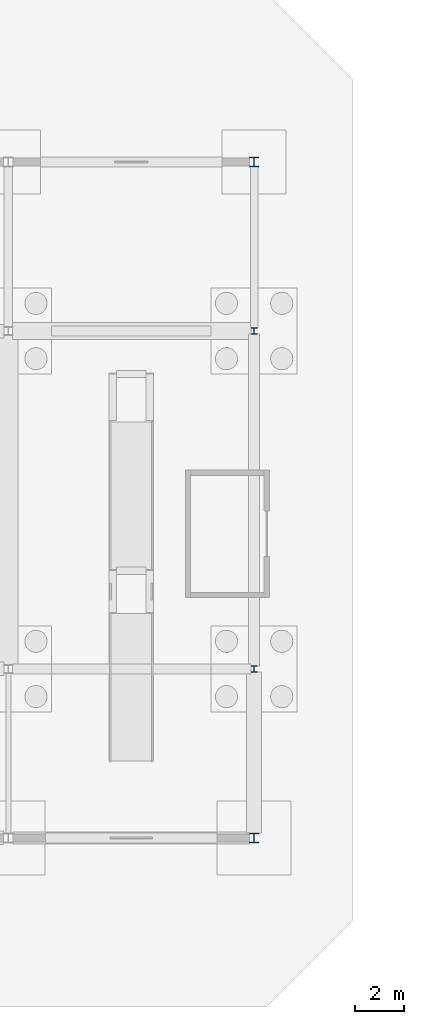
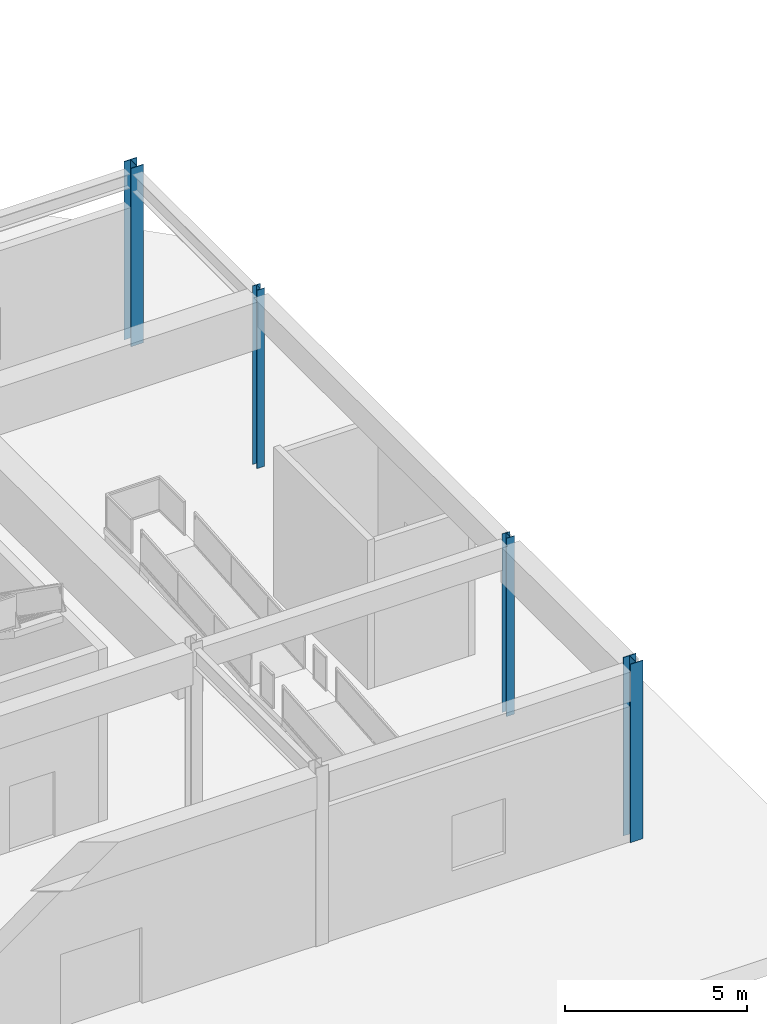
# One storey, part 18 of 62: 4 columns.
"""IFC4 building model written with IfcOpenShell, lengths in metres."""

from ifc_helpers import new_model, si_unit, direction, frame, origin, origin_2d, place, context, subcontext, project, spatial, i_section, extrude, material, material_profile, profile_set, type_object, element, save


model = new_model("IFC4")

# Units and contexts
model_context = context("Model", 3, precision=1e-05, world=origin(), true_north=direction((0.0, 1.0)))
body_context = subcontext(model_context, "Body", "Model", "MODEL_VIEW")
ifc_project = project(units=[si_unit("LENGTHUNIT", "METRE"), si_unit("AREAUNIT", "SQUARE_METRE"), si_unit("VOLUMEUNIT", "CUBIC_METRE"), si_unit("PLANEANGLEUNIT", "RADIAN"), si_unit("MASSUNIT", "GRAM", prefix="KILO")], contexts=[model_context])

# Site, building, storey
site_placement = place(None, origin())
site = spatial("IfcSite", under=ifc_project, at=site_placement, CompositionType="ELEMENT")
building_placement = place(site_placement, origin())
building = spatial("IfcBuilding", under=site, at=building_placement, Name="Linyun Crest Stadium", CompositionType="ELEMENT")
storey_placement = place(building_placement, frame((0.0, 0.0, -6.0)))
storey = spatial("IfcBuildingStorey", under=building, at=storey_placement, Name="B1", CompositionType="ELEMENT", Elevation=-6.0)

# Columns
ifc_material_1 = material(Name="Steel Q355C", Category="steel")
ifc_material_profile_1 = material_profile(ifc_material_1, i_section(OverallWidth=0.39990234375, OverallDepth=0.39990234375, WebThickness=0.012939453125, FlangeThickness=0.02099609375, at=origin_2d()), Name="HW 400x400")
ifc_profile_set_1 = profile_set([ifc_material_profile_1], Name="Steel Q355C")
column_type_1 = type_object("IfcColumnType", Name="SC02", PredefinedType="COLUMN", material=ifc_profile_set_1)
for number, where, z_axis, x_axis, name in (
    (1, (94.0, -94.125, 0.0), (0.0, 0.0, 1.0), (1.0, 0.0, 0.0), "Column SC02 B1 934"),
    (2, (94.0, -66.625, 0.0), (0.0, 0.0, 1.0), (1.0, 0.0, 0.0), "Column SC02 B1 943"),
):
    element("IfcColumn", number, at=place(storey_placement, frame(where, z_axis=z_axis, x_axis=x_axis)), inside=storey, type_object=column_type_1, Name=name, PredefinedType="COLUMN", context=body_context, shape_type="SweptSolid", body=[
        extrude(i_section(OverallWidth=0.39990234375, OverallDepth=0.39990234375, WebThickness=0.012939453125, FlangeThickness=0.02099609375, at=origin_2d()), origin(), (0.0, 0.0, 1.0), 5.998046875),
    ])
ifc_material_2 = material(Name="Steel Q355C", Category="steel")
ifc_material_profile_2 = material_profile(ifc_material_2, i_section(OverallWidth=0.25, OverallDepth=0.25, WebThickness=0.009033203125, FlangeThickness=0.013916015625, at=origin_2d()), Name="HW 250x250")
ifc_profile_set_2 = profile_set([ifc_material_profile_2], Name="Steel Q355C")
column_type_2 = type_object("IfcColumnType", Name="SC07", PredefinedType="COLUMN", material=ifc_profile_set_2)
for number, where, z_axis, x_axis, name in (
    (3, (94.0, -87.25, 0.0), (0.0, 0.0, 1.0), (1.0, 0.0, 0.0), "Column SC07 B1 937"),
    (4, (94.0, -73.5, 0.0), (0.0, 0.0, 1.0), (1.0, 0.0, 0.0), "Column SC07 B1 940"),
):
    element("IfcColumn", number, at=place(storey_placement, frame(where, z_axis=z_axis, x_axis=x_axis)), inside=storey, type_object=column_type_2, Name=name, PredefinedType="COLUMN", context=body_context, shape_type="SweptSolid", body=[
        extrude(i_section(OverallWidth=0.25, OverallDepth=0.25, WebThickness=0.009033203125, FlangeThickness=0.013916015625, at=origin_2d()), origin(), (0.0, 0.0, 1.0), 5.998046875),
    ])

save(model, "model.ifc")
